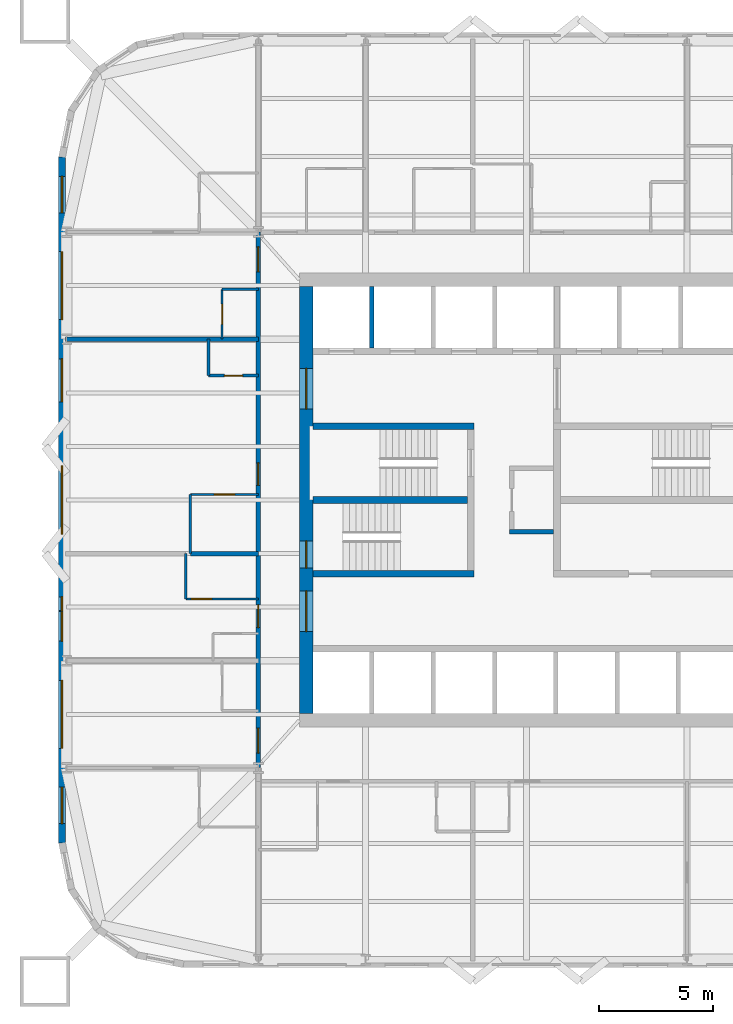
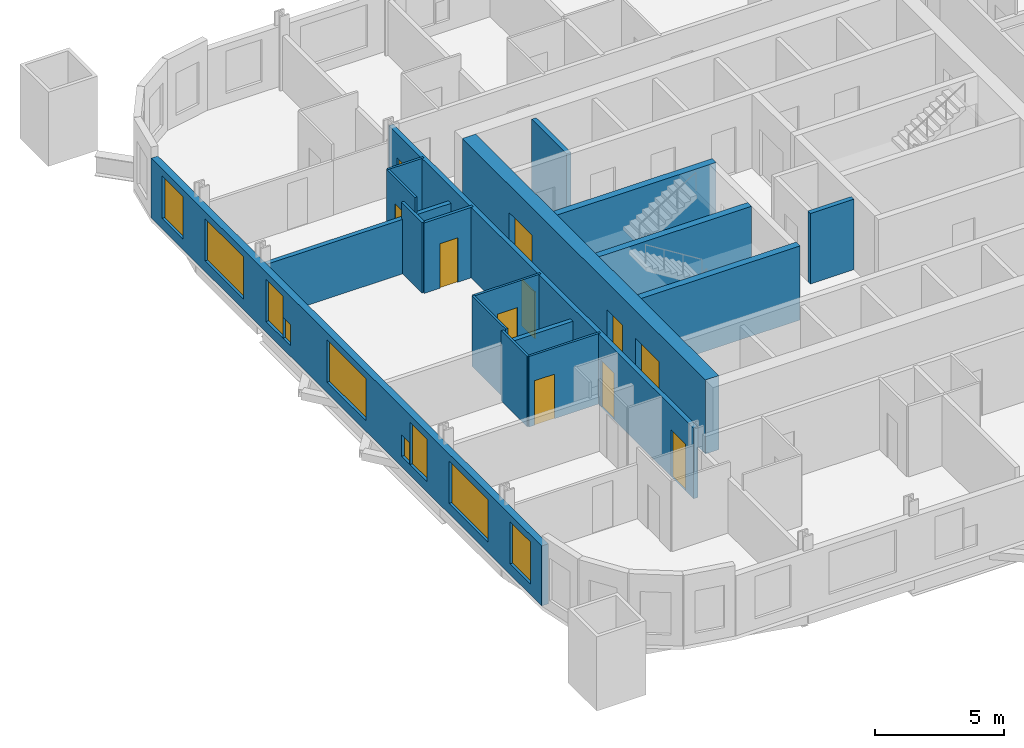
# One storey, part 4 of 9: 18 walls, 11 doors, 9 windows, 20 openings.
"""IFC4 building model written with IfcOpenShell, lengths in metres."""

from ifc_helpers import new_model, si_unit, direction, frame, frame_2d, origin, place, context, subcontext, project, spatial, rectangle, extrude, material, layer, layer_set, type_object, element, fill, save


model = new_model("IFC4")

# Units and contexts
model_context = context("Model", 3, precision=1e-05, world=origin(), true_north=direction((0.0, 1.0)))
body_context = subcontext(model_context, "Body", "Model", "MODEL_VIEW")
ifc_project = project(units=[si_unit("LENGTHUNIT", "METRE"), si_unit("AREAUNIT", "SQUARE_METRE"), si_unit("VOLUMEUNIT", "CUBIC_METRE"), si_unit("PLANEANGLEUNIT", "RADIAN"), si_unit("MASSUNIT", "GRAM", prefix="KILO")], contexts=[model_context])

# Site, building, storey
site_placement = place(None, origin())
site = spatial("IfcSite", under=ifc_project, at=site_placement, CompositionType="ELEMENT")
building_placement = place(site_placement, origin())
building = spatial("IfcBuilding", under=site, at=building_placement, Name="Turquesa Mirador Hotel Tower", CompositionType="ELEMENT")
storey_placement = place(building_placement, frame((0.0, 0.0, 128.39990234375)))
storey = spatial("IfcBuildingStorey", under=building, at=storey_placement, Name="L34", CompositionType="ELEMENT", Elevation=128.39990234375)

# Wall, opening, door
ifc_material_1 = material(Name="Gypsum board on steel studs", Category="steel")
ifc_layer_1 = layer(ifc_material_1, 0.10009765625)
ifc_layer_set_1 = layer_set([ifc_layer_1], Name="BATHROOM WALL 100")
wall_type_1 = type_object("IfcWallType", Name="BATHROOM WALL 100", PredefinedType="PARTITIONING", material=ifc_layer_set_1)
wall_1_placement = place(storey_placement, frame((40.0, 40.639892578125, 0.0), z_axis=(0.0, 0.0, 1.0), x_axis=(1.0, 0.0, 0.0)))
wall_1 = element("IfcWall", 1, at=wall_1_placement, inside=storey, type_object=wall_type_1, Name="Partition L34 016", PredefinedType="PARTITIONING", context=body_context, shape_type="SweptSolid", body=[
    extrude(rectangle(XDim=3.199951171875, YDim=0.10009765625, at=frame_2d((1.60009765625, 0.0))), origin(), (0.0, 0.0, 1.0), 3.330078125),
])
opening_1_placement = place(wall_1_placement, frame((0.25, 0.0, 0.0)))
opening_1 = element("IfcOpeningElement", 2, at=opening_1_placement, cuts=wall_1, Name="Opening D02", PredefinedType="OPENING", context=body_context, shape_type="SweptSolid", body=[
    extrude(rectangle(XDim=0.89990234375, YDim=2.10009765625, at=frame_2d((0.449951171875, 1.050048828125))), frame((0.0, 0.06005859375, 0.0), z_axis=(0.0, -1.0, 0.0), x_axis=(1.0, 0.0, 0.0)), (0.0, 0.0, 1.0), 0.1201171875),
])
ifc_material_2 = material(Name="Timber veneered door", Category="wood")
door_type_1 = type_object("IfcDoorType", Name="DOOR 900X2100 EN-SUITE", OperationType="SINGLE_SWING_RIGHT", PredefinedType="DOOR", material=ifc_material_2)
door_1_placement = place(opening_1_placement, origin())
door_1 = element("IfcDoor", 3, at=door_1_placement, inside=storey, type_object=door_type_1, Name="Door 3409B", OperationType="SINGLE_SWING_RIGHT", OverallHeight=2.10009765625, OverallWidth=0.89990234375, PredefinedType="DOOR", context=body_context, shape_type="SweptSolid", body=[
    extrude(rectangle(XDim=0.89990234375, YDim=2.10009765625, at=frame_2d((0.449951171875, 1.050048828125))), frame((0.0, 0.02490234375, 0.0), z_axis=(0.0, -1.0, 0.0), x_axis=(1.0, 0.0, 0.0)), (0.0, 0.0, 1.0), 0.050048828125),
])
fill(opening_1, door_1)

wall_2_placement = place(storey_placement, frame((40.199951171875, 45.239990234375, 0.0), z_axis=(0.0, 0.0, 1.0), x_axis=(1.0, 0.0, 0.0)))
wall_2 = element("IfcWall", 4, at=wall_2_placement, inside=storey, type_object=wall_type_1, Name="Partition L34 022", PredefinedType="PARTITIONING", context=body_context, shape_type="SweptSolid", body=[
    extrude(rectangle(XDim=3.0, YDim=0.10009765625, at=frame_2d((1.5, 0.0))), origin(), (0.0, 0.0, 1.0), 3.330078125),
])
opening_2_placement = place(wall_2_placement, frame((1.050048828125, 0.0, 0.0)))
opening_2 = element("IfcOpeningElement", 5, at=opening_2_placement, cuts=wall_2, Name="Opening D02", PredefinedType="OPENING", context=body_context, shape_type="SweptSolid", body=[
    extrude(rectangle(XDim=0.89990234375, YDim=2.10009765625, at=frame_2d((0.449951171875, 1.050048828125))), frame((0.0, 0.06005859375, 0.0), z_axis=(0.0, -1.0, 0.0), x_axis=(1.0, 0.0, 0.0)), (0.0, 0.0, 1.0), 0.1201171875),
])
door_2_placement = place(opening_2_placement, origin())
door_2 = element("IfcDoor", 6, at=door_2_placement, inside=storey, type_object=door_type_1, Name="Door 3410B", OperationType="SINGLE_SWING_RIGHT", OverallHeight=2.10009765625, OverallWidth=0.89990234375, PredefinedType="DOOR", context=body_context, shape_type="SweptSolid", body=[
    extrude(rectangle(XDim=0.89990234375, YDim=2.10009765625, at=frame_2d((0.449951171875, 1.050048828125))), frame((0.0, 0.02490234375, 0.0), z_axis=(0.0, -1.0, 0.0), x_axis=(1.0, 0.0, 0.0)), (0.0, 0.0, 1.0), 0.050048828125),
])
fill(opening_2, door_2)

# Wall
wall_3_placement = place(storey_placement, frame((41.60009765625, 54.280029296875, 0.0), z_axis=(0.0, 0.0, 1.0), x_axis=(1.0, 0.0, 0.0)))
element("IfcWall", 7, at=wall_3_placement, inside=storey, type_object=wall_type_1, Name="Partition L34 041", PredefinedType="PARTITIONING", context=body_context, shape_type="SweptSolid", body=[
    extrude(rectangle(XDim=1.599853515625, YDim=0.10009765625, at=frame_2d((0.7998046875, 0.0))), origin(), (0.0, 0.0, 1.0), 3.330078125),
])

# Wall, opening, door
wall_4_placement = place(storey_placement, frame((41.60009765625, 52.080078125, 0.0), z_axis=(0.0, 0.0, 1.0), x_axis=(0.0, 1.0, 0.0)))
wall_4 = element("IfcWall", 8, at=wall_4_placement, inside=storey, type_object=wall_type_1, Name="Partition L34 048", PredefinedType="PARTITIONING", context=body_context, shape_type="SweptSolid", body=[
    extrude(rectangle(XDim=2.199951171875, YDim=0.10009765625, at=frame_2d((1.10009765625, 0.0))), origin(), (0.0, 0.0, 1.0), 3.330078125),
])
opening_3_placement = place(wall_4_placement, frame((0.64990234375, 0.0, 0.0)))
opening_3 = element("IfcOpeningElement", 9, at=opening_3_placement, cuts=wall_4, Name="Opening D06", PredefinedType="OPENING", context=body_context, shape_type="SweptSolid", body=[
    extrude(rectangle(XDim=0.89990234375, YDim=2.10009765625, at=frame_2d((0.449951171875, 1.050048828125))), frame((0.0, 0.06005859375, 0.0), z_axis=(0.0, -1.0, 0.0), x_axis=(1.0, 0.0, 0.0)), (0.0, 0.0, 1.0), 0.1201171875),
])
ifc_material_3 = material(Name="Laminate door", Category="wood")
door_type_2 = type_object("IfcDoorType", Name="DOOR 900X2100 WC", OperationType="SINGLE_SWING_LEFT", PredefinedType="DOOR", material=ifc_material_3)
door_3_placement = place(opening_3_placement, origin())
door_3 = element("IfcDoor", 10, at=door_3_placement, inside=storey, type_object=door_type_2, Name="Door 3412W", OperationType="SINGLE_SWING_LEFT", OverallHeight=2.10009765625, OverallWidth=0.89990234375, PredefinedType="DOOR", context=body_context, shape_type="SweptSolid", body=[
    extrude(rectangle(XDim=0.89990234375, YDim=2.10009765625, at=frame_2d((0.449951171875, 1.050048828125))), frame((0.0, 0.02490234375, 0.0), z_axis=(0.0, -1.0, 0.0), x_axis=(1.0, 0.0, 0.0)), (0.0, 0.0, 1.0), 0.050048828125),
])
fill(opening_3, door_3)

# Walls
wall_5_placement = place(storey_placement, frame((40.199951171875, 42.639892578125, 0.0), z_axis=(0.0, 0.0, 1.0), x_axis=(0.0, 1.0, 0.0)))
element("IfcWall", 11, at=wall_5_placement, inside=storey, type_object=wall_type_1, Name="Partition L34 053", PredefinedType="PARTITIONING", context=body_context, shape_type="SweptSolid", body=[
    extrude(rectangle(XDim=2.60009765625, YDim=0.10009765625, at=frame_2d((1.300048828125, 0.0))), origin(), (0.0, 0.0, 1.0), 3.330078125),
])
wall_6_placement = place(storey_placement, frame((40.0, 40.639892578125, 0.0), z_axis=(0.0, 0.0, 1.0), x_axis=(0.0, 1.0, 0.0)))
element("IfcWall", 12, at=wall_6_placement, inside=storey, type_object=wall_type_1, Name="Partition L34 054", PredefinedType="PARTITIONING", context=body_context, shape_type="SweptSolid", body=[
    extrude(rectangle(XDim=2.0, YDim=0.10009765625, at=frame_2d((1.0, 0.0))), origin(), (0.0, 0.0, 1.0), 3.330078125),
])
ifc_material_4 = material(Name="Concrete C50/60", Category="concrete")
ifc_layer_2 = layer(ifc_material_4, 0.300048828125)
ifc_layer_set_2 = layer_set([ifc_layer_2], Name="CORE INNER WALL 300")
wall_type_2 = type_object("IfcWallType", Name="CORE INNER WALL 300", PredefinedType="SHEAR", material=ifc_layer_set_2)
for number, where, z_axis, x_axis, name in (
    (13, (45.60009765625, 48.25, 0.0), (0.0, 0.0, 1.0), (1.0, 0.0, 0.0), "Core wall MN-W"),
    (14, (45.60009765625, 41.75, 0.0), (0.0, 0.0, 1.0), (1.0, 0.0, 0.0), "Core wall MS-W"),
):
    element("IfcWall", number, at=place(storey_placement, frame(where, z_axis=z_axis, x_axis=x_axis)), inside=storey, type_object=wall_type_2, Name=name, PredefinedType="SHEAR", context=body_context, shape_type="SweptSolid", body=[
        extrude(rectangle(XDim=7.099853515625, YDim=0.300048828125, at=frame_2d((3.5498046875, 0.0))), origin(), (0.0, 0.0, 1.0), 3.5),
    ])
wall_7_placement = place(storey_placement, frame((45.60009765625, 45.0, 0.0), z_axis=(0.0, 0.0, 1.0), x_axis=(1.0, 0.0, 0.0)))
element("IfcWall", 15, at=wall_7_placement, inside=storey, type_object=wall_type_2, Name="Core wall M0-W", PredefinedType="SHEAR", context=body_context, shape_type="SweptSolid", body=[
    extrude(rectangle(XDim=6.7998046875, YDim=0.300048828125, at=frame_2d((3.39990234375, 0.0))), origin(), (0.0, 0.0, 1.0), 3.5),
])

# Wall, openings, doors
ifc_material_5 = material(Name="Concrete C50/60", Category="concrete")
ifc_layer_3 = layer(ifc_material_5, 0.60009765625)
ifc_layer_set_3 = layer_set([ifc_layer_3], Name="CORE WALL 600")
wall_type_3 = type_object("IfcWallType", Name="CORE WALL 600", PredefinedType="SHEAR", material=ifc_layer_set_3)
wall_8_placement = place(storey_placement, frame((45.300048828125, 35.60009765625, 0.0), z_axis=(0.0, 0.0, 1.0), x_axis=(0.0, 1.0, 0.0)))
wall_8 = element("IfcWall", 16, at=wall_8_placement, inside=storey, type_object=wall_type_3, Name="Core wall W", PredefinedType="SHEAR", context=body_context, shape_type="SweptSolid", body=[
    extrude(rectangle(XDim=18.7998046875, YDim=0.60009765625, at=frame_2d((9.39990234375, 0.0))), origin(), (0.0, 0.0, 1.0), 3.5),
])
opening_4_placement = place(wall_8_placement, frame((13.39990234375, 0.0, 0.0)))
opening_4 = element("IfcOpeningElement", 17, at=opening_4_placement, cuts=wall_8, Name="Opening D04", PredefinedType="OPENING", context=body_context, shape_type="SweptSolid", body=[
    extrude(rectangle(XDim=1.800048828125, YDim=2.199951171875, at=frame_2d((0.89990234375, 1.10009765625))), frame((0.0, 0.31005859375, 0.0), z_axis=(0.0, -1.0, 0.0), x_axis=(1.0, 0.0, 0.0)), (0.0, 0.0, 1.0), 0.6201171875),
])
opening_5_placement = place(wall_8_placement, frame((3.60009765625, 0.0, 0.0)))
opening_5 = element("IfcOpeningElement", 18, at=opening_5_placement, cuts=wall_8, Name="Opening D04", PredefinedType="OPENING", context=body_context, shape_type="SweptSolid", body=[
    extrude(rectangle(XDim=1.800048828125, YDim=2.199951171875, at=frame_2d((0.89990234375, 1.10009765625))), frame((0.0, 0.31005859375, 0.0), z_axis=(0.0, -1.0, 0.0), x_axis=(1.0, 0.0, 0.0)), (0.0, 0.0, 1.0), 0.6201171875),
])
opening_6_placement = place(wall_8_placement, frame((6.39990234375, 0.0, 0.0)))
opening_6 = element("IfcOpeningElement", 19, at=opening_6_placement, cuts=wall_8, Name="Opening D03", PredefinedType="OPENING", context=body_context, shape_type="SweptSolid", body=[
    extrude(rectangle(XDim=1.199951171875, YDim=2.199951171875, at=frame_2d((0.60009765625, 1.10009765625))), frame((0.0, 0.31005859375, 0.0), z_axis=(0.0, -1.0, 0.0), x_axis=(1.0, 0.0, 0.0)), (0.0, 0.0, 1.0), 0.6201171875),
])
ifc_material_6 = material(Name="Steel fire door", Category="steel")
door_type_3 = type_object("IfcDoorType", Name="DOOR 1200X2200 STAIR", OperationType="SINGLE_SWING_LEFT", PredefinedType="DOOR", material=ifc_material_6)
door_4_placement = place(opening_6_placement, origin())
door_4 = element("IfcDoor", 20, at=door_4_placement, inside=storey, type_object=door_type_3, Name="Stair ST2 door", OperationType="SINGLE_SWING_LEFT", OverallHeight=2.199951171875, OverallWidth=1.199951171875, PredefinedType="DOOR", context=body_context, shape_type="SweptSolid", body=[
    extrude(rectangle(XDim=1.199951171875, YDim=2.199951171875, at=frame_2d((0.60009765625, 1.10009765625))), frame((0.0, 0.02490234375, 0.0), z_axis=(0.0, -1.0, 0.0), x_axis=(1.0, 0.0, 0.0)), (0.0, 0.0, 1.0), 0.050048828125),
])
fill(opening_6, door_4)
ifc_material_7 = material(Name="Steel fire door pair", Category="steel")
door_type_4 = type_object("IfcDoorType", Name="DOOR 1800X2200 PAIR", OperationType="DOUBLE_DOOR_SINGLE_SWING", PredefinedType="DOOR", material=ifc_material_7)
door_5_placement = place(opening_4_placement, origin())
door_5 = element("IfcDoor", 21, at=door_5_placement, inside=storey, type_object=door_type_4, Name="North lift lobby door", OperationType="DOUBLE_DOOR_SINGLE_SWING", OverallHeight=2.199951171875, OverallWidth=1.800048828125, PredefinedType="DOOR", context=body_context, shape_type="SweptSolid", body=[
    extrude(rectangle(XDim=1.800048828125, YDim=2.199951171875, at=frame_2d((0.89990234375, 1.10009765625))), frame((0.0, 0.02490234375, 0.0), z_axis=(0.0, -1.0, 0.0), x_axis=(1.0, 0.0, 0.0)), (0.0, 0.0, 1.0), 0.050048828125),
])
fill(opening_4, door_5)
door_6_placement = place(opening_5_placement, origin())
door_6 = element("IfcDoor", 22, at=door_6_placement, inside=storey, type_object=door_type_4, Name="South lift lobby door", OperationType="DOUBLE_DOOR_SINGLE_SWING", OverallHeight=2.199951171875, OverallWidth=1.800048828125, PredefinedType="DOOR", context=body_context, shape_type="SweptSolid", body=[
    extrude(rectangle(XDim=1.800048828125, YDim=2.199951171875, at=frame_2d((0.89990234375, 1.10009765625))), frame((0.0, 0.02490234375, 0.0), z_axis=(0.0, -1.0, 0.0), x_axis=(1.0, 0.0, 0.0)), (0.0, 0.0, 1.0), 0.050048828125),
])
fill(opening_5, door_6)

ifc_material_8 = material(Name="Fire-rated gypsum board on steel studs", Category="steel")
ifc_layer_4 = layer(ifc_material_8, 0.199951171875)
ifc_layer_set_4 = layer_set([ifc_layer_4], Name="CORRIDOR WALL 200")
wall_type_4 = type_object("IfcWallType", Name="CORRIDOR WALL 200", PredefinedType="PARTITIONING", material=ifc_layer_set_4)
wall_9_placement = place(storey_placement, frame((43.199951171875, 33.219970703125, 0.0), z_axis=(0.0, 0.0, 1.0), x_axis=(0.0, 1.0, 0.0)))
wall_9 = element("IfcWall", 23, at=wall_9_placement, inside=storey, type_object=wall_type_4, Name="Partition L34 044", PredefinedType="PARTITIONING", context=body_context, shape_type="SweptSolid", body=[
    extrude(rectangle(XDim=23.580078125, YDim=0.199951171875, at=frame_2d((11.7900390625, 0.0))), origin(), (0.0, 0.0, 1.0), 3.330078125),
])
opening_7_placement = place(wall_9_placement, frame((6.159912109375, 0.0, 0.0)))
opening_7 = element("IfcOpeningElement", 24, at=opening_7_placement, cuts=wall_9, Name="Opening D01", PredefinedType="OPENING", context=body_context, shape_type="SweptSolid", body=[
    extrude(rectangle(XDim=1.0, YDim=2.199951171875, at=frame_2d((0.5, 1.10009765625))), frame((0.0, 0.10986328125, 0.0), z_axis=(0.0, -1.0, 0.0), x_axis=(1.0, 0.0, 0.0)), (0.0, 0.0, 1.0), 0.219970703125),
])
opening_8_placement = place(wall_9_placement, frame((12.419921875, 0.0, 0.0)))
opening_8 = element("IfcOpeningElement", 25, at=opening_8_placement, cuts=wall_9, Name="Opening D01", PredefinedType="OPENING", context=body_context, shape_type="SweptSolid", body=[
    extrude(rectangle(XDim=1.0, YDim=2.199951171875, at=frame_2d((0.5, 1.10009765625))), frame((0.0, 0.10986328125, 0.0), z_axis=(0.0, -1.0, 0.0), x_axis=(1.0, 0.0, 0.0)), (0.0, 0.0, 1.0), 0.219970703125),
])
opening_9_placement = place(wall_9_placement, frame((21.830078125, 0.0, 0.0)))
opening_9 = element("IfcOpeningElement", 26, at=opening_9_placement, cuts=wall_9, Name="Opening D15", PredefinedType="OPENING", context=body_context, shape_type="SweptSolid", body=[
    extrude(rectangle(XDim=1.10009765625, YDim=2.199951171875, at=frame_2d((0.550048828125, 1.10009765625))), frame((0.0, 0.10986328125, 0.0), z_axis=(0.0, -1.0, 0.0), x_axis=(1.0, 0.0, 0.0)), (0.0, 0.0, 1.0), 0.219970703125),
])
opening_10_placement = place(wall_9_placement, frame((0.6298828125, 0.0, 0.0)))
opening_10 = element("IfcOpeningElement", 27, at=opening_10_placement, cuts=wall_9, Name="Opening D15", PredefinedType="OPENING", context=body_context, shape_type="SweptSolid", body=[
    extrude(rectangle(XDim=1.10009765625, YDim=2.199951171875, at=frame_2d((0.550048828125, 1.10009765625))), frame((0.0, 0.10986328125, 0.0), z_axis=(0.0, -1.0, 0.0), x_axis=(1.0, 0.0, 0.0)), (0.0, 0.0, 1.0), 0.219970703125),
])
ifc_material_9 = material(Name="Timber veneered fire door", Category="wood")
door_type_5 = type_object("IfcDoorType", Name="DOOR 1000X2200 GUEST ENTRY", OperationType="SINGLE_SWING_LEFT", PredefinedType="DOOR", material=ifc_material_9)
door_7_placement = place(opening_7_placement, origin())
door_7 = element("IfcDoor", 28, at=door_7_placement, inside=storey, type_object=door_type_5, Name="Door 3409", OperationType="SINGLE_SWING_LEFT", OverallHeight=2.199951171875, OverallWidth=1.0, PredefinedType="DOOR", context=body_context, shape_type="SweptSolid", body=[
    extrude(rectangle(XDim=1.0, YDim=2.199951171875, at=frame_2d((0.5, 1.10009765625))), frame((0.0, 0.02490234375, 0.0), z_axis=(0.0, -1.0, 0.0), x_axis=(1.0, 0.0, 0.0)), (0.0, 0.0, 1.0), 0.050048828125),
])
fill(opening_7, door_7)
door_8_placement = place(opening_8_placement, origin())
door_8 = element("IfcDoor", 29, at=door_8_placement, inside=storey, type_object=door_type_5, Name="Door 3410", OperationType="SINGLE_SWING_LEFT", OverallHeight=2.199951171875, OverallWidth=1.0, PredefinedType="DOOR", context=body_context, shape_type="SweptSolid", body=[
    extrude(rectangle(XDim=1.0, YDim=2.199951171875, at=frame_2d((0.5, 1.10009765625))), frame((0.0, 0.02490234375, 0.0), z_axis=(0.0, -1.0, 0.0), x_axis=(1.0, 0.0, 0.0)), (0.0, 0.0, 1.0), 0.050048828125),
])
fill(opening_8, door_8)
ifc_material_10 = material(Name="Timber veneered fire door", Category="wood")
door_type_6 = type_object("IfcDoorType", Name="DOOR 1100X2200 SUITE ENTRY", OperationType="SINGLE_SWING_LEFT", PredefinedType="DOOR", material=ifc_material_10)
door_9_placement = place(opening_9_placement, origin())
door_9 = element("IfcDoor", 30, at=door_9_placement, inside=storey, type_object=door_type_6, Name="Door 3412", OperationType="SINGLE_SWING_LEFT", OverallHeight=2.199951171875, OverallWidth=1.10009765625, PredefinedType="DOOR", context=body_context, shape_type="SweptSolid", body=[
    extrude(rectangle(XDim=1.10009765625, YDim=2.199951171875, at=frame_2d((0.550048828125, 1.10009765625))), frame((0.0, 0.02490234375, 0.0), z_axis=(0.0, -1.0, 0.0), x_axis=(1.0, 0.0, 0.0)), (0.0, 0.0, 1.0), 0.050048828125),
])
fill(opening_9, door_9)
door_10_placement = place(opening_10_placement, origin())
door_10 = element("IfcDoor", 31, at=door_10_placement, inside=storey, type_object=door_type_6, Name="Door 3413", OperationType="SINGLE_SWING_LEFT", OverallHeight=2.199951171875, OverallWidth=1.10009765625, PredefinedType="DOOR", context=body_context, shape_type="SweptSolid", body=[
    extrude(rectangle(XDim=1.10009765625, YDim=2.199951171875, at=frame_2d((0.550048828125, 1.10009765625))), frame((0.0, 0.02490234375, 0.0), z_axis=(0.0, -1.0, 0.0), x_axis=(1.0, 0.0, 0.0)), (0.0, 0.0, 1.0), 0.050048828125),
])
fill(opening_10, door_10)

# Wall, openings, windows
ifc_material_11 = material(Name="Limestone cladding on concrete block", Category="masonry")
ifc_layer_5 = layer(ifc_material_11, 0.300048828125)
ifc_layer_set_5 = layer_set([ifc_layer_5], Name="FACADE WALL 300 STONE SCREEN")
wall_type_5 = type_object("IfcWallType", Name="FACADE WALL 300 STONE SCREEN", PredefinedType="SOLIDWALL", material=ifc_layer_set_5)
wall_10_placement = place(storey_placement, frame((34.550048828125, 60.10009765625, 0.0), z_axis=(0.0, 0.0, 1.0), x_axis=(0.0, -1.0, 0.0)))
wall_10 = element("IfcWall", 32, at=wall_10_placement, inside=storey, type_object=wall_type_5, Name="Facade wall L34 14", PredefinedType="SOLIDWALL", context=body_context, shape_type="SweptSolid", body=[
    extrude(rectangle(XDim=30.2001953125, YDim=0.300048828125, at=frame_2d((15.10009765625, 0.0))), origin(), (0.0, 0.0, 1.0), 2.830078125),
])
opening_11_placement = place(wall_10_placement, frame((0.85009765625, 0.0, 0.5)))
opening_11 = element("IfcOpeningElement", 33, at=opening_11_placement, cuts=wall_10, Name="Opening WN3", PredefinedType="OPENING", context=body_context, shape_type="SweptSolid", body=[
    extrude(rectangle(XDim=1.60009765625, YDim=2.0, at=frame_2d((0.800048828125, 1.0))), frame((0.0, 0.159912109375, 0.0), z_axis=(0.0, -1.0, 0.0), x_axis=(1.0, 0.0, 0.0)), (0.0, 0.0, 1.0), 0.320068359375),
])
opening_12_placement = place(wall_10_placement, frame((4.159912109375, 0.0, 0.5)))
opening_12 = element("IfcOpeningElement", 34, at=opening_12_placement, cuts=wall_10, Name="Opening WN1", PredefinedType="OPENING", context=body_context, shape_type="SweptSolid", body=[
    extrude(rectangle(XDim=3.0, YDim=2.0, at=frame_2d((1.5, 1.0))), frame((0.0, 0.159912109375, 0.0), z_axis=(0.0, -1.0, 0.0), x_axis=(1.0, 0.0, 0.0)), (0.0, 0.0, 1.0), 0.320068359375),
])
opening_13_placement = place(wall_10_placement, frame((8.8798828125, 0.0, 0.5)))
opening_13 = element("IfcOpeningElement", 35, at=opening_13_placement, cuts=wall_10, Name="Opening WN42", PredefinedType="OPENING", context=body_context, shape_type="SweptSolid", body=[
    extrude(rectangle(XDim=1.300048828125, YDim=2.0, at=frame_2d((0.64990234375, 1.0))), frame((0.0, 0.159912109375, 0.0), z_axis=(0.0, -1.0, 0.0), x_axis=(1.0, 0.0, 0.0)), (0.0, 0.0, 1.0), 0.320068359375),
])
opening_14_placement = place(wall_10_placement, frame((13.60009765625, 0.0, 0.5)))
opening_14 = element("IfcOpeningElement", 36, at=opening_14_placement, cuts=wall_10, Name="Opening WN1", PredefinedType="OPENING", context=body_context, shape_type="SweptSolid", body=[
    extrude(rectangle(XDim=3.0, YDim=2.0, at=frame_2d((1.5, 1.0))), frame((0.0, 0.159912109375, 0.0), z_axis=(0.0, -1.0, 0.0), x_axis=(1.0, 0.0, 0.0)), (0.0, 0.0, 1.0), 0.320068359375),
])
opening_15_placement = place(wall_10_placement, frame((20.02001953125, 0.0, 0.5)))
opening_15 = element("IfcOpeningElement", 37, at=opening_15_placement, cuts=wall_10, Name="Opening WN42", PredefinedType="OPENING", context=body_context, shape_type="SweptSolid", body=[
    extrude(rectangle(XDim=1.300048828125, YDim=2.0, at=frame_2d((0.64990234375, 1.0))), frame((0.0, 0.159912109375, 0.0), z_axis=(0.0, -1.0, 0.0), x_axis=(1.0, 0.0, 0.0)), (0.0, 0.0, 1.0), 0.320068359375),
])
opening_16_placement = place(wall_10_placement, frame((23.0400390625, 0.0, 0.5)))
opening_16 = element("IfcOpeningElement", 38, at=opening_16_placement, cuts=wall_10, Name="Opening WN1", PredefinedType="OPENING", context=body_context, shape_type="SweptSolid", body=[
    extrude(rectangle(XDim=3.0, YDim=2.0, at=frame_2d((1.5, 1.0))), frame((0.0, 0.159912109375, 0.0), z_axis=(0.0, -1.0, 0.0), x_axis=(1.0, 0.0, 0.0)), (0.0, 0.0, 1.0), 0.320068359375),
])
opening_17_placement = place(wall_10_placement, frame((27.75, 0.0, 0.5)))
opening_17 = element("IfcOpeningElement", 39, at=opening_17_placement, cuts=wall_10, Name="Opening WN3", PredefinedType="OPENING", context=body_context, shape_type="SweptSolid", body=[
    extrude(rectangle(XDim=1.60009765625, YDim=2.0, at=frame_2d((0.800048828125, 1.0))), frame((0.0, 0.159912109375, 0.0), z_axis=(0.0, -1.0, 0.0), x_axis=(1.0, 0.0, 0.0)), (0.0, 0.0, 1.0), 0.320068359375),
])
opening_18_placement = place(wall_10_placement, frame((10.179931640625, 0.0, 0.5)))
opening_18 = element("IfcOpeningElement", 40, at=opening_18_placement, cuts=wall_10, Name="Opening WN29", PredefinedType="OPENING", context=body_context, shape_type="SweptSolid", body=[
    extrude(rectangle(XDim=0.60009765625, YDim=1.0, at=frame_2d((0.300048828125, 0.5))), frame((0.0, 0.159912109375, 0.0), z_axis=(0.0, -1.0, 0.0), x_axis=(1.0, 0.0, 0.0)), (0.0, 0.0, 1.0), 0.320068359375),
])
opening_19_placement = place(wall_10_placement, frame((19.3701171875, 0.0, 0.5)))
opening_19 = element("IfcOpeningElement", 41, at=opening_19_placement, cuts=wall_10, Name="Opening WN29", PredefinedType="OPENING", context=body_context, shape_type="SweptSolid", body=[
    extrude(rectangle(XDim=0.60009765625, YDim=1.0, at=frame_2d((0.300048828125, 0.5))), frame((0.0, 0.159912109375, 0.0), z_axis=(0.0, -1.0, 0.0), x_axis=(1.0, 0.0, 0.0)), (0.0, 0.0, 1.0), 0.320068359375),
])
ifc_material_12 = material(Name="Ceramic-fritted laminated glass", Category="glass")
window_type_1 = type_object("IfcWindowType", Name="FRITTED WINDOW 1300X2000", PartitioningType="DOUBLE_PANEL_HORIZONTAL", PredefinedType="WINDOW", material=ifc_material_12)
window_1_placement = place(opening_13_placement, origin())
window_1 = element("IfcWindow", 42, at=window_1_placement, inside=storey, type_object=window_type_1, Name="Window L34", OverallHeight=2.0, OverallWidth=1.300048828125, PartitioningType="SINGLE_PANEL", PredefinedType="WINDOW", context=body_context, shape_type="SweptSolid", body=[
    extrude(rectangle(XDim=1.300048828125, YDim=2.0, at=frame_2d((0.64990234375, 1.0))), frame((0.0, 0.030029296875, 0.0), z_axis=(0.0, -1.0, 0.0), x_axis=(1.0, 0.0, 0.0)), (0.0, 0.0, 1.0), 0.06005859375),
])
fill(opening_13, window_1)
window_2_placement = place(opening_15_placement, origin())
window_2 = element("IfcWindow", 43, at=window_2_placement, inside=storey, type_object=window_type_1, Name="Window L34", OverallHeight=2.0, OverallWidth=1.300048828125, PartitioningType="SINGLE_PANEL", PredefinedType="WINDOW", context=body_context, shape_type="SweptSolid", body=[
    extrude(rectangle(XDim=1.300048828125, YDim=2.0, at=frame_2d((0.64990234375, 1.0))), frame((0.0, 0.030029296875, 0.0), z_axis=(0.0, -1.0, 0.0), x_axis=(1.0, 0.0, 0.0)), (0.0, 0.0, 1.0), 0.06005859375),
])
fill(opening_15, window_2)
ifc_material_13 = material(Name="Ceramic-fritted laminated glass", Category="glass")
window_type_2 = type_object("IfcWindowType", Name="FRITTED WINDOW 1600X2000", PartitioningType="DOUBLE_PANEL_HORIZONTAL", PredefinedType="WINDOW", material=ifc_material_13)
window_3_placement = place(opening_11_placement, origin())
window_3 = element("IfcWindow", 44, at=window_3_placement, inside=storey, type_object=window_type_2, Name="Window L34", OverallHeight=2.0, OverallWidth=1.60009765625, PartitioningType="SINGLE_PANEL", PredefinedType="WINDOW", context=body_context, shape_type="SweptSolid", body=[
    extrude(rectangle(XDim=1.60009765625, YDim=2.0, at=frame_2d((0.800048828125, 1.0))), frame((0.0, 0.030029296875, 0.0), z_axis=(0.0, -1.0, 0.0), x_axis=(1.0, 0.0, 0.0)), (0.0, 0.0, 1.0), 0.06005859375),
])
fill(opening_11, window_3)
window_4_placement = place(opening_17_placement, origin())
window_4 = element("IfcWindow", 45, at=window_4_placement, inside=storey, type_object=window_type_2, Name="Window L34", OverallHeight=2.0, OverallWidth=1.60009765625, PartitioningType="SINGLE_PANEL", PredefinedType="WINDOW", context=body_context, shape_type="SweptSolid", body=[
    extrude(rectangle(XDim=1.60009765625, YDim=2.0, at=frame_2d((0.800048828125, 1.0))), frame((0.0, 0.030029296875, 0.0), z_axis=(0.0, -1.0, 0.0), x_axis=(1.0, 0.0, 0.0)), (0.0, 0.0, 1.0), 0.06005859375),
])
fill(opening_17, window_4)
ifc_material_14 = material(Name="Ceramic-fritted laminated glass", Category="glass")
window_type_3 = type_object("IfcWindowType", Name="FRITTED WINDOW 3000X2000", PartitioningType="DOUBLE_PANEL_HORIZONTAL", PredefinedType="WINDOW", material=ifc_material_14)
window_5_placement = place(opening_12_placement, origin())
window_5 = element("IfcWindow", 46, at=window_5_placement, inside=storey, type_object=window_type_3, Name="Window L34", OverallHeight=2.0, OverallWidth=3.0, PartitioningType="SINGLE_PANEL", PredefinedType="WINDOW", context=body_context, shape_type="SweptSolid", body=[
    extrude(rectangle(XDim=3.0, YDim=2.0, at=frame_2d((1.5, 1.0))), frame((0.0, 0.030029296875, 0.0), z_axis=(0.0, -1.0, 0.0), x_axis=(1.0, 0.0, 0.0)), (0.0, 0.0, 1.0), 0.06005859375),
])
fill(opening_12, window_5)
window_6_placement = place(opening_14_placement, origin())
window_6 = element("IfcWindow", 47, at=window_6_placement, inside=storey, type_object=window_type_3, Name="Window L34", OverallHeight=2.0, OverallWidth=3.0, PartitioningType="SINGLE_PANEL", PredefinedType="WINDOW", context=body_context, shape_type="SweptSolid", body=[
    extrude(rectangle(XDim=3.0, YDim=2.0, at=frame_2d((1.5, 1.0))), frame((0.0, 0.030029296875, 0.0), z_axis=(0.0, -1.0, 0.0), x_axis=(1.0, 0.0, 0.0)), (0.0, 0.0, 1.0), 0.06005859375),
])
fill(opening_14, window_6)
window_7_placement = place(opening_16_placement, origin())
window_7 = element("IfcWindow", 48, at=window_7_placement, inside=storey, type_object=window_type_3, Name="Window L34", OverallHeight=2.0, OverallWidth=3.0, PartitioningType="SINGLE_PANEL", PredefinedType="WINDOW", context=body_context, shape_type="SweptSolid", body=[
    extrude(rectangle(XDim=3.0, YDim=2.0, at=frame_2d((1.5, 1.0))), frame((0.0, 0.030029296875, 0.0), z_axis=(0.0, -1.0, 0.0), x_axis=(1.0, 0.0, 0.0)), (0.0, 0.0, 1.0), 0.06005859375),
])
fill(opening_16, window_7)
ifc_material_15 = material(Name="Ceramic-fritted laminated glass", Category="glass")
window_type_4 = type_object("IfcWindowType", Name="FRITTED WINDOW 600X1000", PartitioningType="DOUBLE_PANEL_HORIZONTAL", PredefinedType="WINDOW", material=ifc_material_15)
window_8_placement = place(opening_18_placement, origin())
window_8 = element("IfcWindow", 49, at=window_8_placement, inside=storey, type_object=window_type_4, Name="Window L34", OverallHeight=1.0, OverallWidth=0.60009765625, PartitioningType="SINGLE_PANEL", PredefinedType="WINDOW", context=body_context, shape_type="SweptSolid", body=[
    extrude(rectangle(XDim=0.60009765625, YDim=1.0, at=frame_2d((0.300048828125, 0.5))), frame((0.0, 0.030029296875, 0.0), z_axis=(0.0, -1.0, 0.0), x_axis=(1.0, 0.0, 0.0)), (0.0, 0.0, 1.0), 0.06005859375),
])
fill(opening_18, window_8)
window_9_placement = place(opening_19_placement, origin())
window_9 = element("IfcWindow", 50, at=window_9_placement, inside=storey, type_object=window_type_4, Name="Window L34", OverallHeight=1.0, OverallWidth=0.60009765625, PartitioningType="SINGLE_PANEL", PredefinedType="WINDOW", context=body_context, shape_type="SweptSolid", body=[
    extrude(rectangle(XDim=0.60009765625, YDim=1.0, at=frame_2d((0.300048828125, 0.5))), frame((0.0, 0.030029296875, 0.0), z_axis=(0.0, -1.0, 0.0), x_axis=(1.0, 0.0, 0.0)), (0.0, 0.0, 1.0), 0.06005859375),
])
fill(opening_19, window_9)

# Walls
ifc_material_16 = material(Name="Fire-rated gypsum board on steel studs", Category="steel")
ifc_layer_6 = layer(ifc_material_16, 0.199951171875)
ifc_layer_set_6 = layer_set([ifc_layer_6], Name="FIRE PARTITION 200")
wall_type_6 = type_object("IfcWallType", Name="FIRE PARTITION 200", PredefinedType="PARTITIONING", material=ifc_layer_set_6)
wall_11_placement = place(storey_placement, frame((54.25, 43.60009765625, 0.0), z_axis=(0.0, 0.0, 1.0), x_axis=(1.0, 0.0, 0.0)))
element("IfcWall", 51, at=wall_11_placement, inside=storey, type_object=wall_type_6, Name="Partition L34 VD S", PredefinedType="PARTITIONING", context=body_context, shape_type="SweptSolid", body=[
    extrude(rectangle(XDim=1.949951171875, YDim=0.199951171875, at=frame_2d((0.97509765625, 0.0))), origin(), (0.0, 0.0, 1.0), 3.330078125),
])
ifc_material_17 = material(Name="Fire-rated gypsum shaft wall on steel studs", Category="steel")
ifc_layer_7 = layer(ifc_material_17, 0.199951171875)
ifc_layer_set_7 = layer_set([ifc_layer_7], Name="LIFT SHAFT DIVIDER 200")
wall_type_7 = type_object("IfcWallType", Name="LIFT SHAFT DIVIDER 200", PredefinedType="PARTITIONING", material=ifc_layer_set_7)
wall_12_placement = place(storey_placement, frame((48.199951171875, 51.699951171875, 0.0), z_axis=(0.0, 0.0, 1.0), x_axis=(0.0, 1.0, 0.0)))
element("IfcWall", 52, at=wall_12_placement, inside=storey, type_object=wall_type_7, Name="Lift shaft divider", PredefinedType="PARTITIONING", context=body_context, shape_type="SweptSolid", body=[
    extrude(rectangle(XDim=2.699951171875, YDim=0.199951171875, at=frame_2d((1.35009765625, 0.0))), origin(), (0.0, 0.0, 1.0), 3.330078125),
])
ifc_material_18 = material(Name="Fire-rated gypsum board on steel studs", Category="steel")
ifc_layer_8 = layer(ifc_material_18, 0.199951171875)
ifc_layer_set_8 = layer_set([ifc_layer_8], Name="PARTY WALL 200")
wall_type_8 = type_object("IfcWallType", Name="PARTY WALL 200", PredefinedType="PARTITIONING", material=ifc_layer_set_8)
wall_13_placement = place(storey_placement, frame((40.199951171875, 42.639892578125, 0.0), z_axis=(0.0, 0.0, 1.0), x_axis=(1.0, 0.0, 0.0)))
element("IfcWall", 53, at=wall_13_placement, inside=storey, type_object=wall_type_8, Name="Partition L34 013", PredefinedType="PARTITIONING", context=body_context, shape_type="SweptSolid", body=[
    extrude(rectangle(XDim=3.0, YDim=0.199951171875, at=frame_2d((1.5, 0.0))), origin(), (0.0, 0.0, 1.0), 2.730712890625),
])
wall_14_placement = place(storey_placement, frame((34.699951171875, 52.080078125, 0.0), z_axis=(0.0, 0.0, 1.0), x_axis=(1.0, 0.0, 0.0)))
element("IfcWall", 54, at=wall_14_placement, inside=storey, type_object=wall_type_8, Name="Partition L34 039", PredefinedType="PARTITIONING", context=body_context, shape_type="SweptSolid", body=[
    extrude(rectangle(XDim=8.5, YDim=0.199951171875, at=frame_2d((4.25, 0.0))), origin(), (0.0, 0.0, 1.0), 2.5732421875),
])

# Wall, opening, door
ifc_material_19 = material(Name="Acoustic gypsum board on steel studs", Category="steel")
ifc_layer_9 = layer(ifc_material_19, 0.125)
ifc_layer_set_9 = layer_set([ifc_layer_9], Name="SUITE PARTITION 125")
wall_type_9 = type_object("IfcWallType", Name="SUITE PARTITION 125", PredefinedType="PARTITIONING", material=ifc_layer_set_9)
wall_15_placement = place(storey_placement, frame((41.0, 50.47998046875, 0.0), z_axis=(0.0, 0.0, 1.0), x_axis=(1.0, 0.0, 0.0)))
wall_15 = element("IfcWall", 55, at=wall_15_placement, inside=storey, type_object=wall_type_9, Name="Partition L34 037", PredefinedType="PARTITIONING", context=body_context, shape_type="SweptSolid", body=[
    extrude(rectangle(XDim=2.199951171875, YDim=0.125, at=frame_2d((1.10009765625, 0.0))), origin(), (0.0, 0.0, 1.0), 3.330078125),
])
opening_20_placement = place(wall_15_placement, frame((0.699951171875, 0.0, 0.0)))
opening_20 = element("IfcOpeningElement", 56, at=opening_20_placement, cuts=wall_15, Name="Opening D20", PredefinedType="OPENING", context=body_context, shape_type="SweptSolid", body=[
    extrude(rectangle(XDim=0.800048828125, YDim=2.10009765625, at=frame_2d((0.39990234375, 1.050048828125))), frame((0.0, 0.072509765625, 0.0), z_axis=(0.0, -1.0, 0.0), x_axis=(1.0, 0.0, 0.0)), (0.0, 0.0, 1.0), 0.14501953125),
])
ifc_material_20 = material(Name="Timber veneered sliding door", Category="wood")
door_type_7 = type_object("IfcDoorType", Name="DOOR 800X2100 WARDROBE", OperationType="SLIDING_TO_LEFT", PredefinedType="DOOR", material=ifc_material_20)
door_11_placement = place(opening_20_placement, origin())
door_11 = element("IfcDoor", 57, at=door_11_placement, inside=storey, type_object=door_type_7, Name="Door 3410W", OperationType="SLIDING_TO_LEFT", OverallHeight=2.10009765625, OverallWidth=0.800048828125, PredefinedType="DOOR", context=body_context, shape_type="SweptSolid", body=[
    extrude(rectangle(XDim=0.800048828125, YDim=2.10009765625, at=frame_2d((0.39990234375, 1.050048828125))), frame((0.0, 0.02490234375, 0.0), z_axis=(0.0, -1.0, 0.0), x_axis=(1.0, 0.0, 0.0)), (0.0, 0.0, 1.0), 0.050048828125),
])
fill(opening_20, door_11)

# Wall
wall_16_placement = place(storey_placement, frame((41.0, 50.47998046875, 0.0), z_axis=(0.0, 0.0, 1.0), x_axis=(0.0, 1.0, 0.0)))
element("IfcWall", 58, at=wall_16_placement, inside=storey, type_object=wall_type_9, Name="Partition L34 050", PredefinedType="PARTITIONING", context=body_context, shape_type="SweptSolid", body=[
    extrude(rectangle(XDim=1.60009765625, YDim=0.125, at=frame_2d((0.800048828125, 0.0))), origin(), (0.0, 0.0, 1.0), 3.330078125),
])

save(model, "model.ifc")
